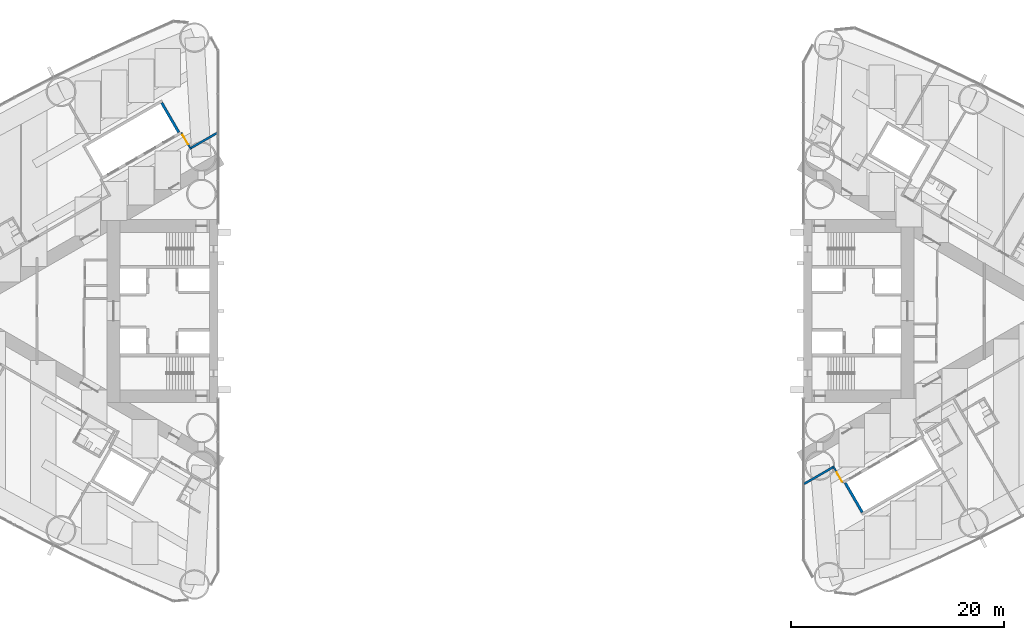
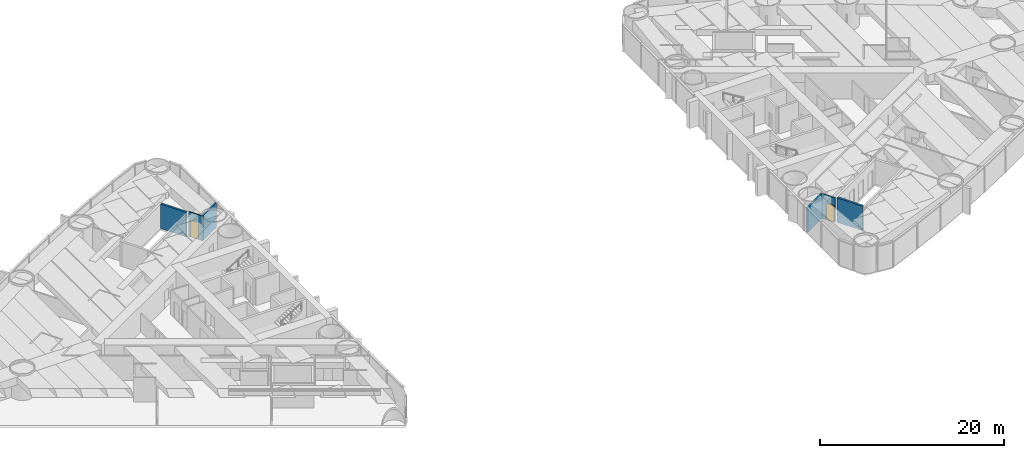
# One storey, part 13 of 19: 6 walls, 2 doors, 2 openings.
"""IFC4 building model written with IfcOpenShell, lengths in metres."""

from ifc_helpers import new_model, si_unit, direction, frame, frame_2d, origin, place, context, subcontext, project, spatial, rectangle, extrude, material, layer, layer_set, type_object, element, fill, save


model = new_model("IFC4")

# Units and contexts
model_context = context("Model", 3, precision=1e-05, world=origin(), true_north=direction((0.0, 1.0)))
body_context = subcontext(model_context, "Body", "Model", "MODEL_VIEW")
ifc_project = project(units=[si_unit("LENGTHUNIT", "METRE"), si_unit("AREAUNIT", "SQUARE_METRE"), si_unit("VOLUMEUNIT", "CUBIC_METRE"), si_unit("PLANEANGLEUNIT", "RADIAN"), si_unit("MASSUNIT", "GRAM", prefix="KILO")], contexts=[model_context])

# Site, building, storey
site_placement = place(None, origin())
site = spatial("IfcSite", under=ifc_project, at=site_placement, CompositionType="ELEMENT")
building_placement = place(site_placement, origin())
building = spatial("IfcBuilding", under=site, at=building_placement, Name="Lancet Gate Hotel", CompositionType="ELEMENT")
storey_placement = place(building_placement, frame((0.0, 0.0, 60.0)))
storey = spatial("IfcBuildingStorey", under=building, at=storey_placement, Name="L15", CompositionType="ELEMENT", Elevation=60.0)

# Walls
ifc_material_1 = material(Name="Gypsum board partition")
ifc_layer_1 = layer(ifc_material_1, 0.199951171875)
ifc_layer_set_1 = layer_set([ifc_layer_1], Name="Corridor wall 200")
wall_type_1 = type_object("IfcWallType", Name="Corridor wall 200", PredefinedType="PARTITIONING", material=ifc_layer_set_1)
wall_1_placement = place(storey_placement, frame((-27.572021484375, 16.740966796875, 0.0), z_axis=(0.0, 0.0, 1.0), x_axis=(-0.866034618596, -0.499984039138, 0.0)))
element("IfcWall", 1, at=wall_1_placement, inside=storey, type_object=wall_type_1, Name="T1 corridor wall 200 L15", PredefinedType="PARTITIONING", context=body_context, shape_type="SweptSolid", body=[
    extrude(rectangle(XDim=2.8544921875, YDim=0.199951171875, at=frame_2d((1.42724609375, 0.0))), origin(), (0.0, 0.0, 1.0), 3.25),
])
wall_2_placement = place(storey_placement, frame((27.572021484375, -16.240966796875, 0.0), z_axis=(0.0, 0.0, 1.0), x_axis=(0.866029654818, 0.499992636921, 0.0)))
element("IfcWall", 2, at=wall_2_placement, inside=storey, type_object=wall_type_1, Name="T2 corridor wall 200 L15", PredefinedType="PARTITIONING", context=body_context, shape_type="SweptSolid", body=[
    extrude(rectangle(XDim=3.15478515625, YDim=0.199951171875, at=frame_2d((1.577392578125, 0.0))), origin(), (0.0, 0.0, 1.0), 3.25),
])
ifc_material_2 = material(Name="Gypsum board partition")
ifc_layer_2 = layer(ifc_material_2, 0.25)
ifc_layer_set_2 = layer_set([ifc_layer_2], Name="Lift shaft partition 250")
wall_type_2 = type_object("IfcWallType", Name="Lift shaft partition 250", PredefinedType="PARTITIONING", material=ifc_layer_set_2)
for number, where, z_axis, x_axis, name in (
    (3, (-31.18115234375, 16.79296875, 0.0), (0.0, 0.0, 1.0), (-0.499929347863, 0.866066190972, 0.0), "T1 lift shaft wall LR L15"),
    (4, (31.441162109375, -16.14306640625, 0.0), (0.0, 0.0, 1.0), (0.499929347863, -0.866066190972, 0.0), "T2 lift shaft wall LR L15"),
):
    element("IfcWall", number, at=place(storey_placement, frame(where, z_axis=z_axis, x_axis=x_axis)), inside=storey, type_object=wall_type_2, Name=name, PredefinedType="PARTITIONING", context=body_context, shape_type="SweptSolid", body=[
        extrude(rectangle(XDim=3.20068359375, YDim=0.25, at=frame_2d((1.600341796875, 0.0))), origin(), (0.0, 0.0, 1.0), 3.25),
    ])

# Wall, opening, door
ifc_material_3 = material(Name="Gypsum board partition")
ifc_layer_3 = layer(ifc_material_3, 0.14990234375)
ifc_layer_set_3 = layer_set([ifc_layer_3], Name="Service room wall 150")
wall_type_3 = type_object("IfcWallType", Name="Service room wall 150", PredefinedType="PARTITIONING", material=ifc_layer_set_3)
wall_3_placement = place(storey_placement, frame((-30.033203125, 15.20458984375, 0.0), z_axis=(0.0, 0.0, 1.0), x_axis=(-0.499980071345, 0.866036909293, 0.0)))
wall_3 = element("IfcWall", 5, at=wall_3_placement, inside=storey, type_object=wall_type_3, Name="T1 service room wall 150 L15", PredefinedType="PARTITIONING", context=body_context, shape_type="SweptSolid", body=[
    extrude(rectangle(XDim=1.8046875, YDim=0.14990234375, at=frame_2d((0.90234375, 0.0))), origin(), (0.0, 0.0, 1.0), 3.25),
])
opening_1_placement = place(wall_3_placement, frame((0.552001953125, 0.0, 0.0)))
opening_1 = element("IfcOpeningElement", 6, at=opening_1_placement, cuts=wall_3, Name="Opening T1-L15-LO1", PredefinedType="OPENING", context=body_context, shape_type="SweptSolid", body=[
    extrude(rectangle(XDim=1.0, YDim=2.199951171875, at=frame_2d((0.5, 1.10009765625))), frame((0.0, 0.0849609375, 0.0), z_axis=(0.0, -1.0, 0.0), x_axis=(1.0, 0.0, 0.0)), (0.0, 0.0, 1.0), 0.169921875),
])
ifc_material_4 = material(Name="Timber door set", Category="wood")
door_type = type_object("IfcDoorType", Name="Service door 1000", OperationType="SINGLE_SWING_LEFT", PredefinedType="DOOR", material=ifc_material_4)
door_1_placement = place(opening_1_placement, origin())
door_1 = element("IfcDoor", 7, at=door_1_placement, inside=storey, type_object=door_type, Name="T1-L15-LO1", OperationType="SINGLE_SWING_LEFT", OverallHeight=2.199951171875, OverallWidth=1.0, PredefinedType="DOOR", context=body_context, shape_type="SweptSolid", body=[
    extrude(rectangle(XDim=1.0, YDim=2.199951171875, at=frame_2d((0.5, 1.10009765625))), frame((0.0, 0.02490234375, 0.0), z_axis=(0.0, -1.0, 0.0), x_axis=(1.0, 0.0, 0.0)), (0.0, 0.0, 1.0), 0.050048828125),
])
fill(opening_1, door_1)

wall_4_placement = place(storey_placement, frame((30.293212890625, -14.554443359375, 0.0), z_axis=(0.0, 0.0, 1.0), x_axis=(0.499980071345, -0.866036909293, 0.0)))
wall_4 = element("IfcWall", 8, at=wall_4_placement, inside=storey, type_object=wall_type_3, Name="T2 service room wall 150 L15", PredefinedType="PARTITIONING", context=body_context, shape_type="SweptSolid", body=[
    extrude(rectangle(XDim=1.8046875, YDim=0.14990234375, at=frame_2d((0.90234375, 0.0))), origin(), (0.0, 0.0, 1.0), 3.25),
])
opening_2_placement = place(wall_4_placement, frame((0.701904296875, 0.0, 0.0)))
opening_2 = element("IfcOpeningElement", 9, at=opening_2_placement, cuts=wall_4, Name="Opening T2-L15-LO1", PredefinedType="OPENING", context=body_context, shape_type="SweptSolid", body=[
    extrude(rectangle(XDim=1.0, YDim=2.199951171875, at=frame_2d((0.5, 1.10009765625))), frame((0.0, 0.0849609375, 0.0), z_axis=(0.0, -1.0, 0.0), x_axis=(1.0, 0.0, 0.0)), (0.0, 0.0, 1.0), 0.169921875),
])
door_2_placement = place(opening_2_placement, origin())
door_2 = element("IfcDoor", 10, at=door_2_placement, inside=storey, type_object=door_type, Name="T2-L15-LO1", OperationType="SINGLE_SWING_LEFT", OverallHeight=2.199951171875, OverallWidth=1.0, PredefinedType="DOOR", context=body_context, shape_type="SweptSolid", body=[
    extrude(rectangle(XDim=1.0, YDim=2.199951171875, at=frame_2d((0.5, 1.10009765625))), frame((0.0, 0.02490234375, 0.0), z_axis=(0.0, -1.0, 0.0), x_axis=(1.0, 0.0, 0.0)), (0.0, 0.0, 1.0), 0.050048828125),
])
fill(opening_2, door_2)

save(model, "model.ifc")
